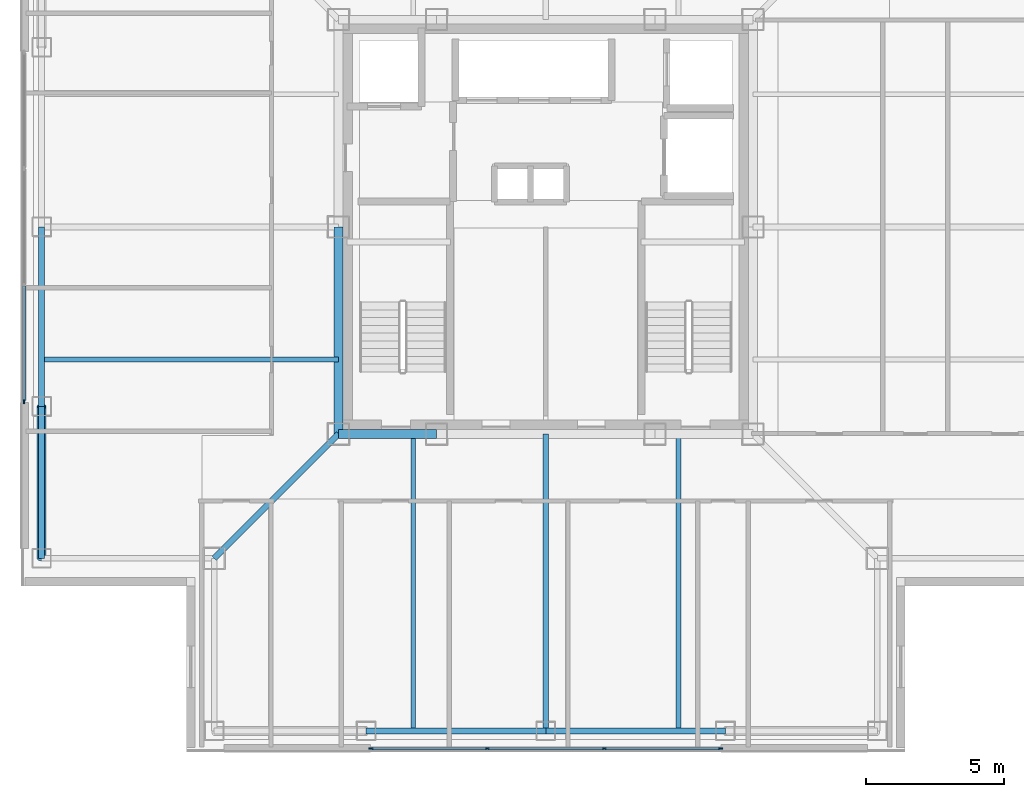
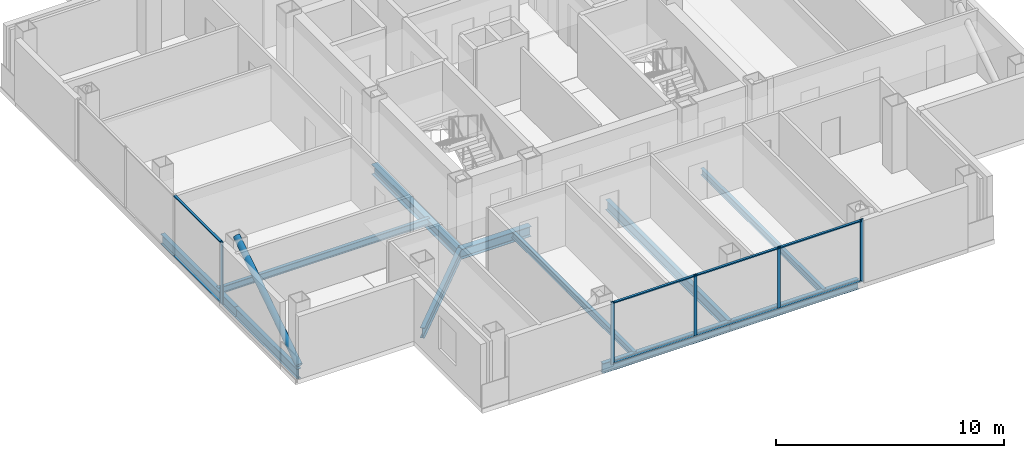
# One storey, part 2 of 16: 14 members, 11 beams, 2 elements without a shape of their own.
"""IFC4 building model written with IfcOpenShell, lengths in metres."""

from ifc_helpers import new_model, si_unit, direction, frame, origin, origin_2d, place, context, subcontext, project, spatial, rectangle, hollow_circle, i_section, extrude, material, layer, layer_set, material_profile, profile_set, type_object, element, aggregate, save


model = new_model("IFC4")

# Units and contexts
model_context = context("Model", 3, precision=1e-05, world=origin(), true_north=direction((0.0, 1.0)))
body_context = subcontext(model_context, "Body", "Model", "MODEL_VIEW")
ifc_project = project(units=[si_unit("LENGTHUNIT", "METRE"), si_unit("AREAUNIT", "SQUARE_METRE"), si_unit("VOLUMEUNIT", "CUBIC_METRE"), si_unit("PLANEANGLEUNIT", "RADIAN"), si_unit("MASSUNIT", "GRAM", prefix="KILO")], contexts=[model_context])

# Site, building, storey
site_placement = place(None, origin())
site = spatial("IfcSite", under=ifc_project, at=site_placement, CompositionType="ELEMENT")
building_placement = place(site_placement, origin())
building = spatial("IfcBuilding", under=site, at=building_placement, Name="Trevonay Congress Spire", CompositionType="ELEMENT")
storey_placement = place(building_placement, frame((0.0, 0.0, 290.0)))
storey = spatial("IfcBuildingStorey", under=building, at=storey_placement, Name="L76", CompositionType="ELEMENT", Elevation=290.0)

# Beams
ifc_material_1 = material(Name="Steel ASTM A572 Grade 50", Category="steel")
ifc_material_profile_1 = material_profile(ifc_material_1, i_section(OverallWidth=0.2119140625, OverallDepth=0.5439453125, WebThickness=0.01318359375, FlangeThickness=0.021240234375, FilletRadius=0.014892578125, at=origin_2d()), Name="W530x123")
ifc_profile_set_1 = profile_set([ifc_material_profile_1], Name="Steel ASTM A572 Grade 50")
beam_type_1 = type_object("IfcBeamType", Name="BM-GIRD-W530X123", PredefinedType="BEAM", material=ifc_profile_set_1)
beam_1_placement = place(storey_placement, frame((-7.5, -7.5, -0.511962890625), z_axis=(-0.707106781187, -0.707106781187, 0.0), x_axis=(0.707106781187, -0.707106781187, 0.0)))
element("IfcBeam", 1, at=beam_1_placement, inside=storey, type_object=beam_type_1, Name="L76 structural beam BM-L76-CDSW", PredefinedType="BEAM", context=body_context, shape_type="SweptSolid", body=[
    extrude(i_section(OverallWidth=0.2119140625, OverallDepth=0.5439453125, WebThickness=0.01318359375, FlangeThickness=0.021240234375, FilletRadius=0.014892578125, at=origin_2d()), origin(), (0.0, 0.0, 1.0), 6.364013671875),
])
beam_2_placement = place(storey_placement, frame((0.0, -7.5, -0.511962890625), z_axis=(0.0, -1.0, 0.0), x_axis=(1.0, 0.0, 0.0)))
element("IfcBeam", 2, at=beam_2_placement, inside=storey, type_object=beam_type_1, Name="L76 structural beam BM-L76-GC-S", PredefinedType="BEAM", context=body_context, shape_type="SweptSolid", body=[
    extrude(i_section(OverallWidth=0.2119140625, OverallDepth=0.5439453125, WebThickness=0.01318359375, FlangeThickness=0.021240234375, FilletRadius=0.014892578125, at=origin_2d()), origin(), (0.0, 0.0, 1.0), 10.75),
])
ifc_material_profile_2 = material_profile(ifc_material_1, i_section(OverallWidth=0.31201171875, OverallDepth=0.54296875, WebThickness=0.0126953125, FlangeThickness=0.020263671875, FilletRadius=0.014892578125, at=origin_2d()), Name="W530x150")
ifc_profile_set_2 = profile_set([ifc_material_profile_2], Name="Steel ASTM A572 Grade 50")
beam_type_2 = type_object("IfcBeamType", Name="BM-GIRD-W530X150", PredefinedType="BEAM", material=ifc_profile_set_2)
beam_3_placement = place(storey_placement, frame((-7.5, -7.5, -0.511474609375), z_axis=(1.0, 0.0, 0.0), x_axis=(0.0, 1.0, 0.0)))
element("IfcBeam", 3, at=beam_3_placement, inside=storey, type_object=beam_type_2, Name="L76 structural beam BM-L76-CR-S1", PredefinedType="BEAM", context=body_context, shape_type="SweptSolid", body=[
    extrude(i_section(OverallWidth=0.31201171875, OverallDepth=0.54296875, WebThickness=0.0126953125, FlangeThickness=0.020263671875, FilletRadius=0.014892578125, at=origin_2d()), origin(), (0.0, 0.0, 1.0), 3.550048828125),
])
beam_4_placement = place(storey_placement, frame((-7.5, -7.5, -0.511474609375), z_axis=(0.0, 1.0, 0.0), x_axis=(-1.0, 0.0, 0.0)))
element("IfcBeam", 4, at=beam_4_placement, inside=storey, type_object=beam_type_2, Name="L76 structural beam BM-L76-CR-W1", PredefinedType="BEAM", context=body_context, shape_type="SweptSolid", body=[
    extrude(i_section(OverallWidth=0.31201171875, OverallDepth=0.54296875, WebThickness=0.0126953125, FlangeThickness=0.020263671875, FilletRadius=0.014892578125, at=origin_2d()), origin(), (0.0, 0.0, 1.0), 7.5),
])
ifc_material_profile_3 = material_profile(ifc_material_1, i_section(OverallWidth=0.208984375, OverallDepth=0.532958984375, WebThickness=0.01025390625, FlangeThickness=0.015625, FilletRadius=0.014892578125, at=origin_2d()), Name="W530x92")
ifc_profile_set_3 = profile_set([ifc_material_profile_3], Name="Steel ASTM A572 Grade 50")
beam_type_3 = type_object("IfcBeamType", Name="BM-RING-W530X92", PredefinedType="BEAM", material=ifc_profile_set_3)
beam_5_placement = place(storey_placement, frame((-18.25, -12.0, -0.506591796875), z_axis=(0.0, 1.0, 0.0), x_axis=(-1.0, 0.0, 0.0)))
element("IfcBeam", 5, at=beam_5_placement, inside=storey, type_object=beam_type_3, Name="L76 structural beam BM-L76-PW1", PredefinedType="BEAM", context=body_context, shape_type="SweptSolid", body=[
    extrude(i_section(OverallWidth=0.208984375, OverallDepth=0.532958984375, WebThickness=0.01025390625, FlangeThickness=0.015625, FilletRadius=0.014892578125, at=origin_2d()), origin(), (0.0, 0.0, 1.0), 5.5),
])
for number, where, z_axis, x_axis, name in (
    (6, (-6.5, -18.25, -0.506591796875), (1.0, 0.0, 0.0), (0.0, 1.0, 0.0), "L76 structural beam BM-L76-PS2"),
    (7, (-18.25, -6.5, -0.506591796875), (0.0, 1.0, 0.0), (-1.0, 0.0, 0.0), "L76 structural beam BM-L76-PW2"),
    (8, (0.0, -18.25, -0.506591796875), (1.0, 0.0, 0.0), (0.0, 1.0, 0.0), "L76 structural beam BM-L76-PS3"),
):
    element("IfcBeam", number, at=place(storey_placement, frame(where, z_axis=z_axis, x_axis=x_axis)), inside=storey, type_object=beam_type_3, Name=name, PredefinedType="BEAM", context=body_context, shape_type="SweptSolid", body=[
        extrude(i_section(OverallWidth=0.208984375, OverallDepth=0.532958984375, WebThickness=0.01025390625, FlangeThickness=0.015625, FilletRadius=0.014892578125, at=origin_2d()), origin(), (0.0, 0.0, 1.0), 6.5),
    ])

# Curtain wall, members
ifc_material_2 = material(Name="Pale Anodised Aluminium EN AW-6063-T6", Category="aluminium")
ifc_layer = layer(ifc_material_2, 0.1650390625, Name="Pale Anodised Aluminium EN AW-6063-T6")
ifc_layer_set = layer_set([ifc_layer], Name="Pale Anodised Aluminium EN AW-6063-T6")
curtain_wall_type = type_object("IfcCurtainWallType", Name="CW-SYS05-DIPLOM-PALE-METAL", PredefinedType="NOTDEFINED", material=ifc_layer_set)
curtain_wall_1_placement = place(storey_placement, origin())
curtain_wall_1 = element("IfcCurtainWall", 9, at=curtain_wall_1_placement, inside=storey, type_object=curtain_wall_type, Name="L76 S unitised curtain wall", PredefinedType="NOTDEFINED")
ifc_material_profile_4 = material_profile(ifc_material_2, rectangle(XDim=0.06005859375, YDim=0.159912109375, at=origin_2d()), Name="CW-MULLION-160-ALUMINIUM")
ifc_profile_set_4 = profile_set([ifc_material_profile_4], Name="Pale Anodised Aluminium EN AW-6063-T6")
member_type_1 = type_object("IfcMemberType", Name="CW-MULLION-160-ALUMINIUM", PredefinedType="MULLION", material=ifc_profile_set_4)
member_1_placement = place(storey_placement, frame((-6.320068359375, -18.8798828125, 0.0), z_axis=(0.0, 0.0, 1.0), x_axis=(0.0, 1.0, 0.0)))
member_1 = element("IfcMember", 10, at=member_1_placement, type_object=member_type_1, Name="CW05 mullion 1", PredefinedType="MULLION", context=body_context, shape_type="SweptSolid", body=[
    extrude(rectangle(XDim=0.06005859375, YDim=0.159912109375, at=origin_2d()), origin(), (0.0, 0.0, 1.0), 3.360107421875),
])
member_2_placement = place(storey_placement, frame((-2.11669921875, -18.8798828125, 0.0), z_axis=(0.0, 0.0, 1.0), x_axis=(0.0, 1.0, 0.0)))
member_2 = element("IfcMember", 11, at=member_2_placement, type_object=member_type_1, Name="CW05 mullion 2", PredefinedType="MULLION", context=body_context, shape_type="SweptSolid", body=[
    extrude(rectangle(XDim=0.06005859375, YDim=0.159912109375, at=origin_2d()), origin(), (0.0, 0.0, 1.0), 3.360107421875),
])
member_3_placement = place(storey_placement, frame((2.11669921875, -18.8798828125, 0.0), z_axis=(0.0, 0.0, 1.0), x_axis=(0.0, 1.0, 0.0)))
member_3 = element("IfcMember", 12, at=member_3_placement, type_object=member_type_1, Name="CW05 mullion 3", PredefinedType="MULLION", context=body_context, shape_type="SweptSolid", body=[
    extrude(rectangle(XDim=0.06005859375, YDim=0.159912109375, at=origin_2d()), origin(), (0.0, 0.0, 1.0), 3.360107421875),
])
member_4_placement = place(storey_placement, frame((6.320068359375, -18.8798828125, 0.0), z_axis=(0.0, 0.0, 1.0), x_axis=(0.0, 1.0, 0.0)))
member_4 = element("IfcMember", 13, at=member_4_placement, type_object=member_type_1, Name="CW05 mullion 4", PredefinedType="MULLION", context=body_context, shape_type="SweptSolid", body=[
    extrude(rectangle(XDim=0.06005859375, YDim=0.159912109375, at=origin_2d()), origin(), (0.0, 0.0, 1.0), 3.360107421875),
])

# Curtain wall, member
curtain_wall_2_placement = place(storey_placement, origin())
curtain_wall_2 = element("IfcCurtainWall", 14, at=curtain_wall_2_placement, inside=storey, type_object=curtain_wall_type, Name="L76 W unitised curtain wall", PredefinedType="NOTDEFINED")
member_5_placement = place(storey_placement, frame((-18.8798828125, -6.320068359375, 0.0), z_axis=(0.0, 0.0, 1.0), x_axis=(-1.0, 0.0, 0.0)))
member_5 = element("IfcMember", 15, at=member_5_placement, type_object=member_type_1, Name="CW05 mullion 1", PredefinedType="MULLION", context=body_context, shape_type="SweptSolid", body=[
    extrude(rectangle(XDim=0.06005859375, YDim=0.159912109375, at=origin_2d()), origin(), (0.0, 0.0, 1.0), 3.360107421875),
])

# Member
ifc_material_profile_5 = material_profile(ifc_material_2, rectangle(XDim=0.1201171875, YDim=0.06005859375, at=origin_2d()), Name="CW-TRANSOM-120-ALUMINIUM")
ifc_profile_set_5 = profile_set([ifc_material_profile_5], Name="Pale Anodised Aluminium EN AW-6063-T6")
member_type_2 = type_object("IfcMemberType", Name="CW-TRANSOM-120-ALUMINIUM", PredefinedType="USERDEFINED", material=ifc_profile_set_5)
member_6_placement = place(storey_placement, frame((-6.2900390625, -18.8798828125, 0.06005859375), z_axis=(1.0, 0.0, 0.0), x_axis=(0.0, 1.0, 0.0)))
member_6 = element("IfcMember", 16, at=member_6_placement, type_object=member_type_2, Name="CW05 transom 1.1", ObjectType="TRANSOM", PredefinedType="USERDEFINED", context=body_context, shape_type="SweptSolid", body=[
    extrude(rectangle(XDim=0.1201171875, YDim=0.06005859375, at=origin_2d()), origin(), (0.0, 0.0, 1.0), 4.143310546875),
])

member_7_placement = place(storey_placement, frame((-6.2900390625, -18.8798828125, 3.300048828125), z_axis=(1.0, 0.0, 0.0), x_axis=(0.0, 1.0, 0.0)))
member_7 = element("IfcMember", 17, at=member_7_placement, type_object=member_type_2, Name="CW05 transom 1.2", ObjectType="TRANSOM", PredefinedType="USERDEFINED", context=body_context, shape_type="SweptSolid", body=[
    extrude(rectangle(XDim=0.1201171875, YDim=0.06005859375, at=origin_2d()), origin(), (0.0, 0.0, 1.0), 4.143310546875),
])

member_8_placement = place(storey_placement, frame((-2.086669921875, -18.8798828125, 0.06005859375), z_axis=(1.0, 0.0, 0.0), x_axis=(0.0, 1.0, 0.0)))
member_8 = element("IfcMember", 18, at=member_8_placement, type_object=member_type_2, Name="CW05 transom 2.1", ObjectType="TRANSOM", PredefinedType="USERDEFINED", context=body_context, shape_type="SweptSolid", body=[
    extrude(rectangle(XDim=0.1201171875, YDim=0.06005859375, at=origin_2d()), origin(), (0.0, 0.0, 1.0), 4.17333984375),
])

member_9_placement = place(storey_placement, frame((-2.086669921875, -18.8798828125, 3.300048828125), z_axis=(1.0, 0.0, 0.0), x_axis=(0.0, 1.0, 0.0)))
member_9 = element("IfcMember", 19, at=member_9_placement, type_object=member_type_2, Name="CW05 transom 2.2", ObjectType="TRANSOM", PredefinedType="USERDEFINED", context=body_context, shape_type="SweptSolid", body=[
    extrude(rectangle(XDim=0.1201171875, YDim=0.06005859375, at=origin_2d()), origin(), (0.0, 0.0, 1.0), 4.17333984375),
])

member_10_placement = place(storey_placement, frame((2.146728515625, -18.8798828125, 0.06005859375), z_axis=(1.0, 0.0, 0.0), x_axis=(0.0, 1.0, 0.0)))
member_10 = element("IfcMember", 20, at=member_10_placement, type_object=member_type_2, Name="CW05 transom 3.1", ObjectType="TRANSOM", PredefinedType="USERDEFINED", context=body_context, shape_type="SweptSolid", body=[
    extrude(rectangle(XDim=0.1201171875, YDim=0.06005859375, at=origin_2d()), origin(), (0.0, 0.0, 1.0), 4.143310546875),
])

member_11_placement = place(storey_placement, frame((2.146728515625, -18.8798828125, 3.300048828125), z_axis=(1.0, 0.0, 0.0), x_axis=(0.0, 1.0, 0.0)))
member_11 = element("IfcMember", 21, at=member_11_placement, type_object=member_type_2, Name="CW05 transom 3.2", ObjectType="TRANSOM", PredefinedType="USERDEFINED", context=body_context, shape_type="SweptSolid", body=[
    extrude(rectangle(XDim=0.1201171875, YDim=0.06005859375, at=origin_2d()), origin(), (0.0, 0.0, 1.0), 4.143310546875),
])

aggregate(curtain_wall_1, [member_1, member_2, member_3, member_4, member_6, member_7, member_8, member_9, member_10, member_11])

member_12_placement = place(storey_placement, frame((-18.8798828125, -6.2900390625, 0.06005859375), z_axis=(0.0, 1.0, 0.0), x_axis=(-1.0, 0.0, 0.0)))
member_12 = element("IfcMember", 22, at=member_12_placement, type_object=member_type_2, Name="CW05 transom 1.1", ObjectType="TRANSOM", PredefinedType="USERDEFINED", context=body_context, shape_type="SweptSolid", body=[
    extrude(rectangle(XDim=0.1201171875, YDim=0.06005859375, at=origin_2d()), origin(), (0.0, 0.0, 1.0), 4.143310546875),
])

member_13_placement = place(storey_placement, frame((-18.8798828125, -6.2900390625, 3.300048828125), z_axis=(0.0, 1.0, 0.0), x_axis=(-1.0, 0.0, 0.0)))
member_13 = element("IfcMember", 23, at=member_13_placement, type_object=member_type_2, Name="CW05 transom 1.2", ObjectType="TRANSOM", PredefinedType="USERDEFINED", context=body_context, shape_type="SweptSolid", body=[
    extrude(rectangle(XDim=0.1201171875, YDim=0.06005859375, at=origin_2d()), origin(), (0.0, 0.0, 1.0), 4.143310546875),
])

aggregate(curtain_wall_2, [member_5, member_12, member_13])

# Beams
ifc_material_profile_6 = material_profile(ifc_material_1, i_section(OverallWidth=0.172119140625, OverallDepth=0.35791015625, WebThickness=0.0078125, FlangeThickness=0.01318359375, FilletRadius=0.011962890625, at=origin_2d()), Name="W360x57.8")
ifc_profile_set_6 = profile_set([ifc_material_profile_6], Name="Steel ASTM A572 Grade 50")
beam_type_4 = type_object("IfcBeamType", Name="JS-COMP-W360X57", PredefinedType="JOIST", material=ifc_profile_set_6)
for number, where, z_axis, x_axis, name in (
    (24, (-4.800048828125, -18.25, -0.4189453125), (0.0, 1.0, 0.0), (-1.0, 0.0, 0.0), "L76 structural beam JS-L76-NS-S1"),
    (25, (-18.25, -4.800048828125, -0.4189453125), (1.0, 0.0, 0.0), (0.0, 1.0, 0.0), "L76 structural beam JS-L76-EW-W1"),
    (26, (4.800048828125, -18.25, -0.4189453125), (0.0, 1.0, 0.0), (-1.0, 0.0, 0.0), "L76 structural beam JS-L76-NS-S3"),
):
    element("IfcBeam", number, at=place(storey_placement, frame(where, z_axis=z_axis, x_axis=x_axis)), inside=storey, type_object=beam_type_4, Name=name, PredefinedType="JOIST", context=body_context, shape_type="SweptSolid", body=[
        extrude(i_section(OverallWidth=0.172119140625, OverallDepth=0.35791015625, WebThickness=0.0078125, FlangeThickness=0.01318359375, FilletRadius=0.011962890625, at=origin_2d()), origin(), (0.0, 0.0, 1.0), 10.75),
    ])

# Member
ifc_material_3 = material(Name="Steel ASTM A500 Grade C", Category="steel")
ifc_material_profile_7 = material_profile(ifc_material_3, hollow_circle(Radius=0.161865234375, WallThickness=0.01611328125, at=origin_2d()), Name="CHS 323.9x16")
ifc_profile_set_7 = profile_set([ifc_material_profile_7], Name="Steel ASTM A500 Grade C")
member_type_3 = type_object("IfcMemberType", Name="MBR-TUBE-CHS324", PredefinedType="BRACE", material=ifc_profile_set_7)
member_14_placement = place(storey_placement, frame((-18.25, -12.0, -0.050048828125), z_axis=(0.0, 0.836694709366, 0.547669574943), x_axis=(-1.0, 0.0, 0.0)))
element("IfcMember", 27, at=member_14_placement, inside=storey, type_object=member_type_3, Name="L76 perimeter braced-tube diagonal W0", PredefinedType="BRACE", context=body_context, shape_type="SweptSolid", body=[
    extrude(hollow_circle(Radius=0.161865234375, WallThickness=0.01611328125, at=origin_2d()), origin(), (0.0, 0.0, 1.0), 6.573486328125),
])

save(model, "model.ifc")
